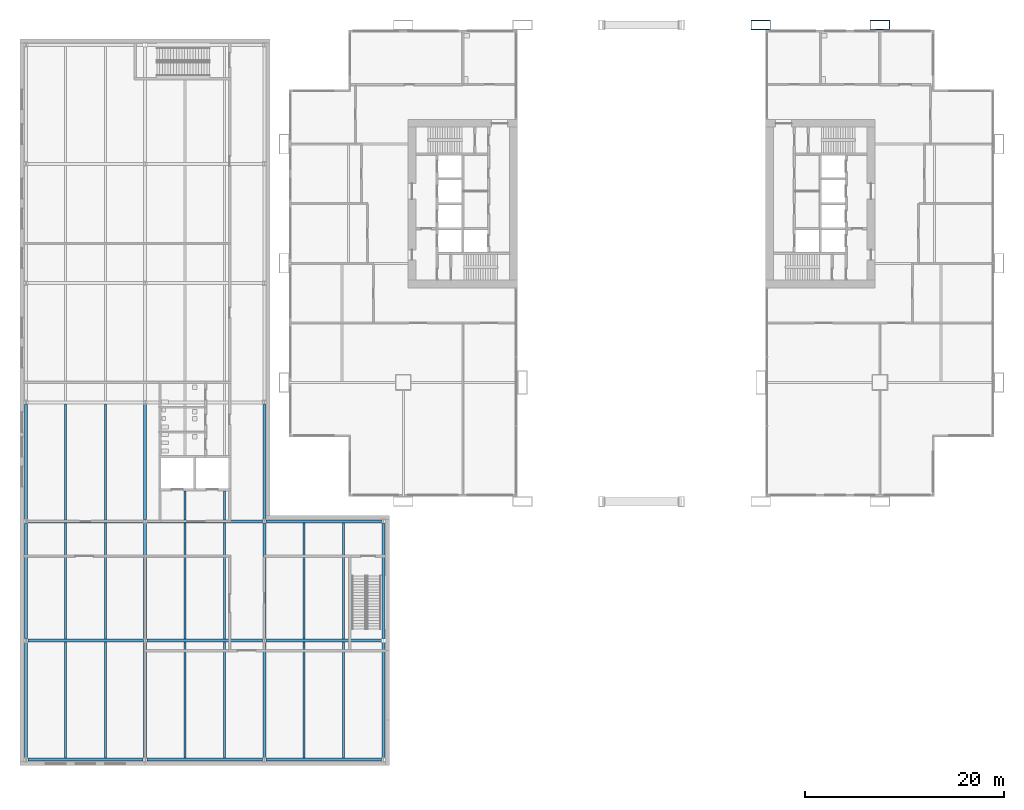
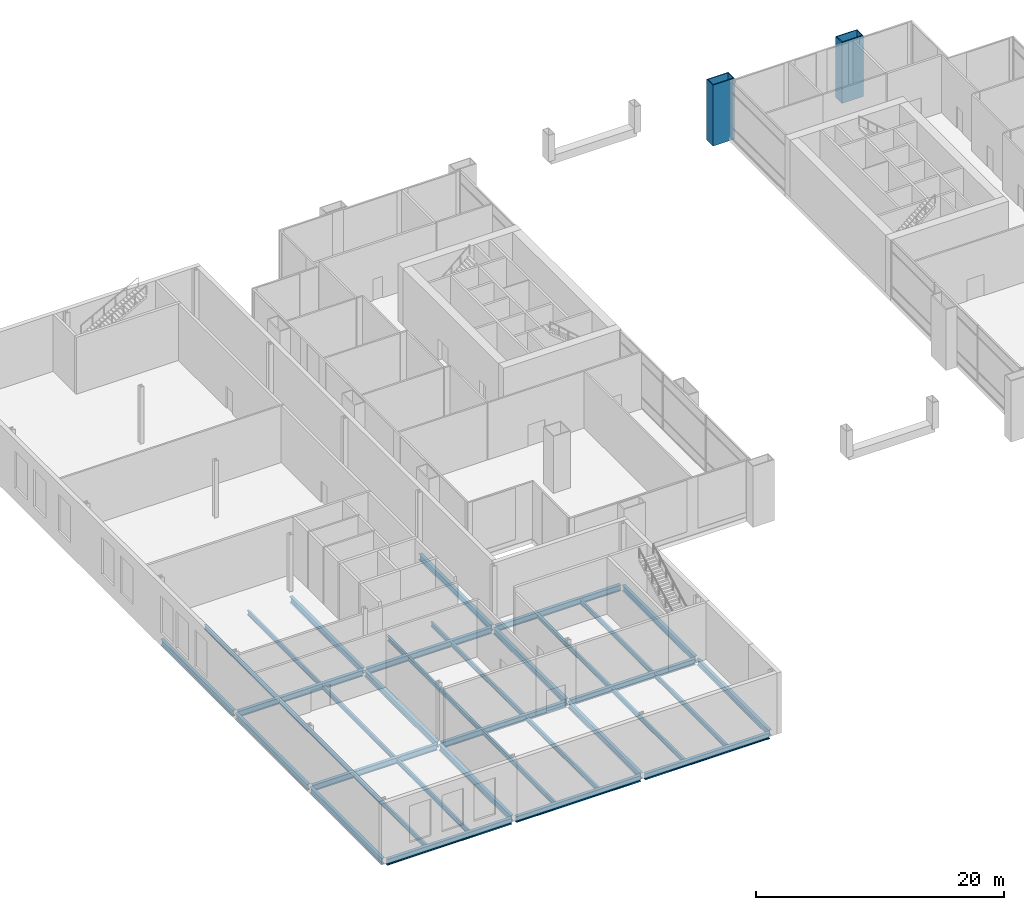
# One storey, part 6 of 25: 36 beams, 2 columns.
"""IFC4 building model written with IfcOpenShell, lengths in metres."""

from ifc_helpers import new_model, si_unit, direction, frame, origin, origin_2d, place, context, subcontext, project, spatial, hollow_rectangle, i_section, extrude, material, material_profile, profile_set, type_object, element, save


model = new_model("IFC4")

# Units and contexts
model_context = context("Model", 3, precision=1e-05, world=origin(), true_north=direction((0.0, 1.0)))
body_context = subcontext(model_context, "Body", "Model", "MODEL_VIEW")
ifc_project = project(units=[si_unit("LENGTHUNIT", "METRE"), si_unit("AREAUNIT", "SQUARE_METRE"), si_unit("VOLUMEUNIT", "CUBIC_METRE"), si_unit("PLANEANGLEUNIT", "RADIAN"), si_unit("MASSUNIT", "GRAM", prefix="KILO")], contexts=[model_context])

# Site, building, storey
site_placement = place(None, origin())
site = spatial("IfcSite", under=ifc_project, at=site_placement, CompositionType="ELEMENT")
building_placement = place(site_placement, origin())
building = spatial("IfcBuilding", under=site, at=building_placement, Name="Kitamizu Gate Tower and Museum", CompositionType="ELEMENT")
storey_placement = place(building_placement, frame((0.0, 0.0, 18.0)))
storey = spatial("IfcBuildingStorey", under=building, at=storey_placement, Name="L03", CompositionType="ELEMENT", Elevation=18.0)

# Columns
ifc_material_1 = material(Name="Steel SM490A bronze coated", Category="steel")
ifc_material_profile_1 = material_profile(ifc_material_1, hollow_rectangle(XDim=2.0, YDim=1.0, WallThickness=0.080078125, at=origin_2d()), Name="BOX 2000x1000x80")
ifc_profile_set_1 = profile_set([ifc_material_profile_1], Name="Steel SM490A bronze coated")
column_type = type_object("IfcColumnType", Name="Podium leg column LC1 BOX 2000x1000x80", PredefinedType="COLUMN", material=ifc_profile_set_1)
for number, where, z_axis, x_axis, name in (
    (1, (48.0, 48.0, -0.39990234375), (0.0, 0.0, 1.0), (1.0, 0.0, 0.0), "Column LC1 5E L03"),
    (2, (60.0, 48.0, -0.39990234375), (0.0, 0.0, 1.0), (1.0, 0.0, 0.0), "Column LC1 6E L03"),
):
    element("IfcColumn", number, at=place(storey_placement, frame(where, z_axis=z_axis, x_axis=x_axis)), inside=storey, type_object=column_type, Name=name, PredefinedType="COLUMN", context=body_context, shape_type="SweptSolid", body=[
        extrude(hollow_rectangle(XDim=2.0, YDim=1.0, WallThickness=0.080078125, at=origin_2d()), origin(), (0.0, 0.0, 1.0), 6.0),
    ])

# Beams
ifc_material_2 = material(Name="Steel SS400", Category="steel")
ifc_material_profile_2 = material_profile(ifc_material_2, i_section(OverallWidth=0.300048828125, OverallDepth=0.587890625, WebThickness=0.011962890625, FlangeThickness=0.02001953125, FilletRadius=0.028076171875, at=origin_2d()), Name="H-588x300x12x20")
ifc_profile_set_2 = profile_set([ifc_material_profile_2], Name="Steel SS400")
beam_type_1 = type_object("IfcBeamType", Name="Museum girder H 588x300x12x20", PredefinedType="BEAM", material=ifc_profile_set_2)
beam_1_placement = place(storey_placement, frame((-25.800048828125, -26.0, -0.694091796875), z_axis=(1.0, 0.0, 0.0), x_axis=(0.0, 1.0, 0.0)))
element("IfcBeam", 3, at=beam_1_placement, inside=storey, type_object=beam_type_1, Name="Girder xM1M2MA", PredefinedType="BEAM", context=body_context, shape_type="SweptSolid", body=[
    extrude(i_section(OverallWidth=0.300048828125, OverallDepth=0.587890625, WebThickness=0.011962890625, FlangeThickness=0.02001953125, FilletRadius=0.028076171875, at=origin_2d()), origin(), (0.0, 0.0, 1.0), 11.60009765625),
])
for number, where, z_axis, x_axis, name in (
    (4, (-25.800048828125, -14.0, -0.694091796875), (1.0, 0.0, 0.0), (0.0, 1.0, 0.0), "Girder xM1M2MB"),
    (5, (-25.800048828125, -2.0, -0.694091796875), (1.0, 0.0, 0.0), (0.0, 1.0, 0.0), "Girder xM1M2MC"),
):
    element("IfcBeam", number, at=place(storey_placement, frame(where, z_axis=z_axis, x_axis=x_axis)), inside=storey, type_object=beam_type_1, Name=name, PredefinedType="BEAM", context=body_context, shape_type="SweptSolid", body=[
        extrude(i_section(OverallWidth=0.300048828125, OverallDepth=0.587890625, WebThickness=0.011962890625, FlangeThickness=0.02001953125, FilletRadius=0.028076171875, at=origin_2d()), origin(), (0.0, 0.0, 1.0), 11.625),
    ])
beam_2_placement = place(storey_placement, frame((-13.800048828125, -26.0, -0.694091796875), z_axis=(1.0, 0.0, 0.0), x_axis=(0.0, 1.0, 0.0)))
element("IfcBeam", 6, at=beam_2_placement, inside=storey, type_object=beam_type_1, Name="Girder xM2M3MA", PredefinedType="BEAM", context=body_context, shape_type="SweptSolid", body=[
    extrude(i_section(OverallWidth=0.300048828125, OverallDepth=0.587890625, WebThickness=0.011962890625, FlangeThickness=0.02001953125, FilletRadius=0.028076171875, at=origin_2d()), origin(), (0.0, 0.0, 1.0), 11.60009765625),
])
beam_3_placement = place(storey_placement, frame((-13.824951171875, -14.0, -0.694091796875), z_axis=(1.0, 0.0, 0.0), x_axis=(0.0, 1.0, 0.0)))
element("IfcBeam", 7, at=beam_3_placement, inside=storey, type_object=beam_type_1, Name="Girder xM2M3MB", PredefinedType="BEAM", context=body_context, shape_type="SweptSolid", body=[
    extrude(i_section(OverallWidth=0.300048828125, OverallDepth=0.587890625, WebThickness=0.011962890625, FlangeThickness=0.02001953125, FilletRadius=0.028076171875, at=origin_2d()), origin(), (0.0, 0.0, 1.0), 11.64990234375),
])
beam_4_placement = place(storey_placement, frame((-13.824951171875, -2.0, -0.694091796875), z_axis=(1.0, 0.0, 0.0), x_axis=(0.0, 1.0, 0.0)))
element("IfcBeam", 8, at=beam_4_placement, inside=storey, type_object=beam_type_1, Name="Girder xM2M3MC", PredefinedType="BEAM", context=body_context, shape_type="SweptSolid", body=[
    extrude(i_section(OverallWidth=0.300048828125, OverallDepth=0.587890625, WebThickness=0.011962890625, FlangeThickness=0.02001953125, FilletRadius=0.028076171875, at=origin_2d()), origin(), (0.0, 0.0, 1.0), 11.625),
])
beam_5_placement = place(storey_placement, frame((-1.800048828125, -26.0, -0.694091796875), z_axis=(1.0, 0.0, 0.0), x_axis=(0.0, 1.0, 0.0)))
element("IfcBeam", 9, at=beam_5_placement, inside=storey, type_object=beam_type_1, Name="Girder xM3M4MA", PredefinedType="BEAM", context=body_context, shape_type="SweptSolid", body=[
    extrude(i_section(OverallWidth=0.300048828125, OverallDepth=0.587890625, WebThickness=0.011962890625, FlangeThickness=0.02001953125, FilletRadius=0.028076171875, at=origin_2d()), origin(), (0.0, 0.0, 1.0), 11.60009765625),
])
beam_6_placement = place(storey_placement, frame((-1.824951171875, -14.0, -0.694091796875), z_axis=(1.0, 0.0, 0.0), x_axis=(0.0, 1.0, 0.0)))
element("IfcBeam", 10, at=beam_6_placement, inside=storey, type_object=beam_type_1, Name="Girder xM3M4MB", PredefinedType="BEAM", context=body_context, shape_type="SweptSolid", body=[
    extrude(i_section(OverallWidth=0.300048828125, OverallDepth=0.587890625, WebThickness=0.011962890625, FlangeThickness=0.02001953125, FilletRadius=0.028076171875, at=origin_2d()), origin(), (0.0, 0.0, 1.0), 11.625),
])
for number, where, z_axis, x_axis, name in (
    (11, (-1.800048828125, -2.0, -0.694091796875), (1.0, 0.0, 0.0), (0.0, 1.0, 0.0), "Girder xM3M4MC"),
    (12, (-26.0, -25.800048828125, -0.694091796875), (0.0, 1.0, 0.0), (-1.0, 0.0, 0.0), "Girder yM1MAMB"),
):
    element("IfcBeam", number, at=place(storey_placement, frame(where, z_axis=z_axis, x_axis=x_axis)), inside=storey, type_object=beam_type_1, Name=name, PredefinedType="BEAM", context=body_context, shape_type="SweptSolid", body=[
        extrude(i_section(OverallWidth=0.300048828125, OverallDepth=0.587890625, WebThickness=0.011962890625, FlangeThickness=0.02001953125, FilletRadius=0.028076171875, at=origin_2d()), origin(), (0.0, 0.0, 1.0), 11.60009765625),
    ])
for number, where, z_axis, x_axis, name in (
    (13, (-14.0, -25.800048828125, -0.694091796875), (0.0, 1.0, 0.0), (-1.0, 0.0, 0.0), "Girder yM2MAMB"),
    (14, (-2.0, -25.800048828125, -0.694091796875), (0.0, 1.0, 0.0), (-1.0, 0.0, 0.0), "Girder yM3MAMB"),
):
    element("IfcBeam", number, at=place(storey_placement, frame(where, z_axis=z_axis, x_axis=x_axis)), inside=storey, type_object=beam_type_1, Name=name, PredefinedType="BEAM", context=body_context, shape_type="SweptSolid", body=[
        extrude(i_section(OverallWidth=0.300048828125, OverallDepth=0.587890625, WebThickness=0.011962890625, FlangeThickness=0.02001953125, FilletRadius=0.028076171875, at=origin_2d()), origin(), (0.0, 0.0, 1.0), 11.625),
    ])
for number, where, z_axis, x_axis, name in (
    (15, (10.0, -25.800048828125, -0.694091796875), (0.0, 1.0, 0.0), (-1.0, 0.0, 0.0), "Girder yM4MAMB"),
    (16, (-26.0, -13.800048828125, -0.694091796875), (0.0, 1.0, 0.0), (-1.0, 0.0, 0.0), "Girder yM1MBMC"),
):
    element("IfcBeam", number, at=place(storey_placement, frame(where, z_axis=z_axis, x_axis=x_axis)), inside=storey, type_object=beam_type_1, Name=name, PredefinedType="BEAM", context=body_context, shape_type="SweptSolid", body=[
        extrude(i_section(OverallWidth=0.300048828125, OverallDepth=0.587890625, WebThickness=0.011962890625, FlangeThickness=0.02001953125, FilletRadius=0.028076171875, at=origin_2d()), origin(), (0.0, 0.0, 1.0), 11.60009765625),
    ])
beam_7_placement = place(storey_placement, frame((-14.0, -13.824951171875, -0.694091796875), z_axis=(0.0, 1.0, 0.0), x_axis=(-1.0, 0.0, 0.0)))
element("IfcBeam", 17, at=beam_7_placement, inside=storey, type_object=beam_type_1, Name="Girder yM2MBMC", PredefinedType="BEAM", context=body_context, shape_type="SweptSolid", body=[
    extrude(i_section(OverallWidth=0.300048828125, OverallDepth=0.587890625, WebThickness=0.011962890625, FlangeThickness=0.02001953125, FilletRadius=0.028076171875, at=origin_2d()), origin(), (0.0, 0.0, 1.0), 11.64990234375),
])
beam_8_placement = place(storey_placement, frame((-2.0, -13.824951171875, -0.694091796875), z_axis=(0.0, 1.0, 0.0), x_axis=(-1.0, 0.0, 0.0)))
element("IfcBeam", 18, at=beam_8_placement, inside=storey, type_object=beam_type_1, Name="Girder yM3MBMC", PredefinedType="BEAM", context=body_context, shape_type="SweptSolid", body=[
    extrude(i_section(OverallWidth=0.300048828125, OverallDepth=0.587890625, WebThickness=0.011962890625, FlangeThickness=0.02001953125, FilletRadius=0.028076171875, at=origin_2d()), origin(), (0.0, 0.0, 1.0), 11.625),
])
for number, where, z_axis, x_axis, name in (
    (19, (10.0, -13.800048828125, -0.694091796875), (0.0, 1.0, 0.0), (-1.0, 0.0, 0.0), "Girder yM4MBMC"),
    (20, (-26.0, -1.800048828125, -0.694091796875), (0.0, 1.0, 0.0), (-1.0, 0.0, 0.0), "Girder yM1MCMD"),
):
    element("IfcBeam", number, at=place(storey_placement, frame(where, z_axis=z_axis, x_axis=x_axis)), inside=storey, type_object=beam_type_1, Name=name, PredefinedType="BEAM", context=body_context, shape_type="SweptSolid", body=[
        extrude(i_section(OverallWidth=0.300048828125, OverallDepth=0.587890625, WebThickness=0.011962890625, FlangeThickness=0.02001953125, FilletRadius=0.028076171875, at=origin_2d()), origin(), (0.0, 0.0, 1.0), 11.60009765625),
    ])
beam_9_placement = place(storey_placement, frame((-14.0, -1.824951171875, -0.694091796875), z_axis=(0.0, 1.0, 0.0), x_axis=(-1.0, 0.0, 0.0)))
element("IfcBeam", 21, at=beam_9_placement, inside=storey, type_object=beam_type_1, Name="Girder yM2MCMD", PredefinedType="BEAM", context=body_context, shape_type="SweptSolid", body=[
    extrude(i_section(OverallWidth=0.300048828125, OverallDepth=0.587890625, WebThickness=0.011962890625, FlangeThickness=0.02001953125, FilletRadius=0.028076171875, at=origin_2d()), origin(), (0.0, 0.0, 1.0), 11.64990234375),
])
beam_10_placement = place(storey_placement, frame((-2.0, -1.800048828125, -0.694091796875), z_axis=(0.0, 1.0, 0.0), x_axis=(-1.0, 0.0, 0.0)))
element("IfcBeam", 22, at=beam_10_placement, inside=storey, type_object=beam_type_1, Name="Girder yM3MCMD", PredefinedType="BEAM", context=body_context, shape_type="SweptSolid", body=[
    extrude(i_section(OverallWidth=0.300048828125, OverallDepth=0.587890625, WebThickness=0.011962890625, FlangeThickness=0.02001953125, FilletRadius=0.028076171875, at=origin_2d()), origin(), (0.0, 0.0, 1.0), 11.60009765625),
])
ifc_material_3 = material(Name="Steel SS400", Category="steel")
ifc_material_profile_3 = material_profile(ifc_material_3, i_section(OverallWidth=0.199951171875, OverallDepth=0.449951171875, WebThickness=0.009033203125, FlangeThickness=0.013916015625, FilletRadius=0.01806640625, at=origin_2d()), Name="H-450x200x9x14")
ifc_profile_set_3 = profile_set([ifc_material_profile_3], Name="Steel SS400")
beam_type_2 = type_object("IfcBeamType", Name="Museum secondary beam H 450x200x9x14", PredefinedType="JOIST", material=ifc_profile_set_3)
for number, where, z_axis, x_axis, name in (
    (23, (-22.0, -25.85009765625, -0.625), (0.0, 1.0, 0.0), (-1.0, 0.0, 0.0), "Secondary beam M1M2MAMB.1"),
    (24, (-18.0, -25.85009765625, -0.625), (0.0, 1.0, 0.0), (-1.0, 0.0, 0.0), "Secondary beam M1M2MAMB.2"),
    (25, (-22.0, -13.85009765625, -0.625), (0.0, 1.0, 0.0), (-1.0, 0.0, 0.0), "Secondary beam M1M2MBMC.1"),
    (26, (-18.0, -13.85009765625, -0.625), (0.0, 1.0, 0.0), (-1.0, 0.0, 0.0), "Secondary beam M1M2MBMC.2"),
    (27, (-22.0, -1.85009765625, -0.625), (0.0, 1.0, 0.0), (-1.0, 0.0, 0.0), "Secondary beam M1M2MCMD.1"),
    (28, (-18.0, -1.85009765625, -0.625), (0.0, 1.0, 0.0), (-1.0, 0.0, 0.0), "Secondary beam M1M2MCMD.2"),
    (29, (-10.0, -25.85009765625, -0.625), (0.0, 1.0, 0.0), (-1.0, 0.0, 0.0), "Secondary beam M2M3MAMB.1"),
    (30, (-6.0, -25.85009765625, -0.625), (0.0, 1.0, 0.0), (-1.0, 0.0, 0.0), "Secondary beam M2M3MAMB.2"),
    (31, (-10.0, -13.85009765625, -0.625), (0.0, 1.0, 0.0), (-1.0, 0.0, 0.0), "Secondary beam M2M3MBMC.1"),
    (32, (-6.0, -13.85009765625, -0.625), (0.0, 1.0, 0.0), (-1.0, 0.0, 0.0), "Secondary beam M2M3MBMC.2"),
):
    element("IfcBeam", number, at=place(storey_placement, frame(where, z_axis=z_axis, x_axis=x_axis)), inside=storey, type_object=beam_type_2, Name=name, PredefinedType="JOIST", context=body_context, shape_type="SweptSolid", body=[
        extrude(i_section(OverallWidth=0.199951171875, OverallDepth=0.449951171875, WebThickness=0.009033203125, FlangeThickness=0.013916015625, FilletRadius=0.01806640625, at=origin_2d()), origin(), (0.0, 0.0, 1.0), 11.7001953125),
    ])
for number, where, z_axis, x_axis, name in (
    (33, (-10.0, -1.85009765625, -0.625), (0.0, 1.0, 0.0), (-1.0, 0.0, 0.0), "Secondary beam M2M3MCMD.1"),
    (34, (-6.0, -1.85009765625, -0.625), (0.0, 1.0, 0.0), (-1.0, 0.0, 0.0), "Secondary beam M2M3MCMD.2"),
):
    element("IfcBeam", number, at=place(storey_placement, frame(where, z_axis=z_axis, x_axis=x_axis)), inside=storey, type_object=beam_type_2, Name=name, PredefinedType="JOIST", context=body_context, shape_type="SweptSolid", body=[
        extrude(i_section(OverallWidth=0.199951171875, OverallDepth=0.449951171875, WebThickness=0.009033203125, FlangeThickness=0.013916015625, FilletRadius=0.01806640625, at=origin_2d()), origin(), (0.0, 0.0, 1.0), 2.925048828125),
    ])
for number, where, z_axis, x_axis, name in (
    (35, (2.0, -25.85009765625, -0.625), (0.0, 1.0, 0.0), (-1.0, 0.0, 0.0), "Secondary beam M3M4MAMB.1"),
    (36, (6.0, -25.85009765625, -0.625), (0.0, 1.0, 0.0), (-1.0, 0.0, 0.0), "Secondary beam M3M4MAMB.2"),
    (37, (2.0, -13.85009765625, -0.625), (0.0, 1.0, 0.0), (-1.0, 0.0, 0.0), "Secondary beam M3M4MBMC.1"),
    (38, (6.0, -13.85009765625, -0.625), (0.0, 1.0, 0.0), (-1.0, 0.0, 0.0), "Secondary beam M3M4MBMC.2"),
):
    element("IfcBeam", number, at=place(storey_placement, frame(where, z_axis=z_axis, x_axis=x_axis)), inside=storey, type_object=beam_type_2, Name=name, PredefinedType="JOIST", context=body_context, shape_type="SweptSolid", body=[
        extrude(i_section(OverallWidth=0.199951171875, OverallDepth=0.449951171875, WebThickness=0.009033203125, FlangeThickness=0.013916015625, FilletRadius=0.01806640625, at=origin_2d()), origin(), (0.0, 0.0, 1.0), 11.7001953125),
    ])

save(model, "model.ifc")
